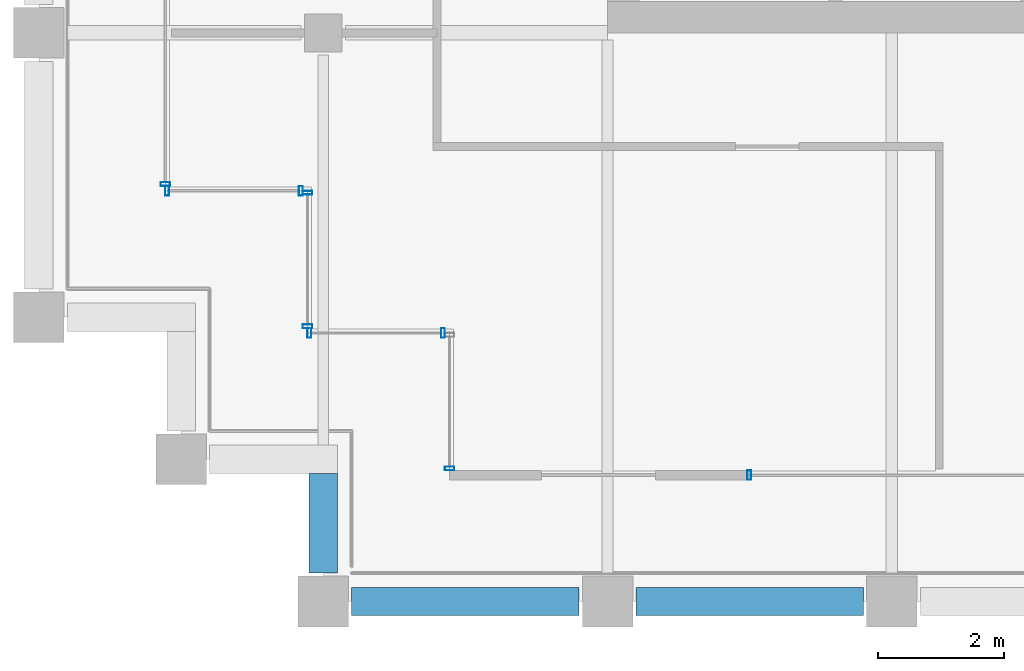
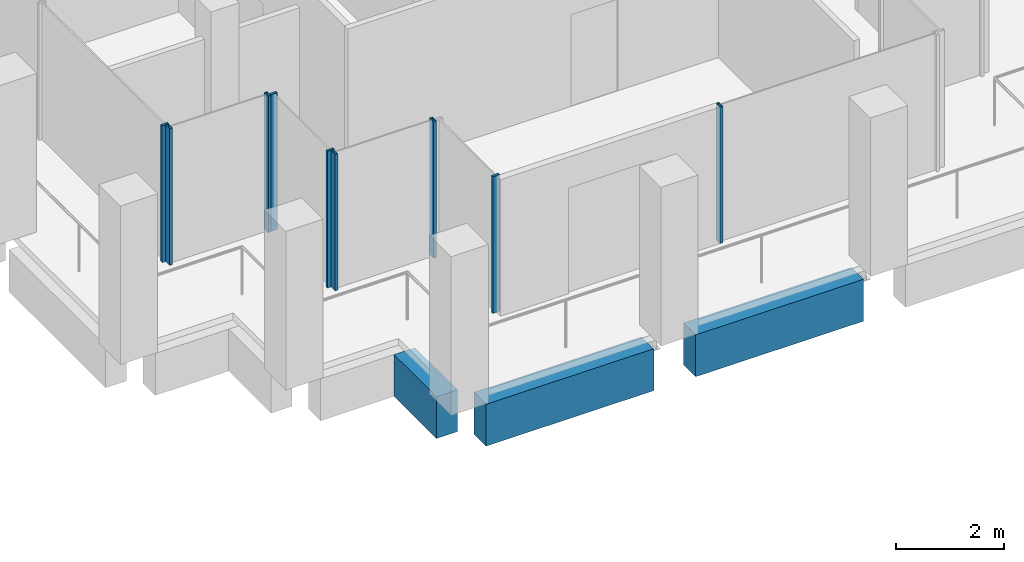
# One storey, part 28 of 40: 9 members, 3 beams, 6 elements without a shape of their own.
"""IFC4 building model written with IfcOpenShell, lengths in metres."""

from ifc_helpers import new_model, si_unit, direction, frame, origin, origin_2d, place, context, subcontext, project, spatial, rectangle, hollow_rectangle, extrude, material, material_profile, profile_set, type_object, element, aggregate, save


model = new_model("IFC4")

# Units and contexts
model_context = context("Model", 3, precision=1e-05, world=origin(), true_north=direction((0.0, 1.0)))
body_context = subcontext(model_context, "Body", "Model", "MODEL_VIEW")
ifc_project = project(units=[si_unit("LENGTHUNIT", "METRE"), si_unit("AREAUNIT", "SQUARE_METRE"), si_unit("VOLUMEUNIT", "CUBIC_METRE"), si_unit("PLANEANGLEUNIT", "RADIAN"), si_unit("MASSUNIT", "GRAM", prefix="KILO")], contexts=[model_context])

# Site, building, storey
site_placement = place(None, origin())
site = spatial("IfcSite", under=ifc_project, at=site_placement, CompositionType="ELEMENT")
building_placement = place(site_placement, origin())
building = spatial("IfcBuilding", under=site, at=building_placement, Name="Altepetl Exchange Towers", CompositionType="ELEMENT")
storey_placement = place(building_placement, frame((0.0, 0.0, 195.60009765625)))
storey = spatial("IfcBuildingStorey", under=building, at=storey_placement, Name="L49", CompositionType="ELEMENT", Elevation=195.60009765625)

# Curtain wall, member
ifc_material_1 = material(Name="Aluminium 6063-T6 glazing", Category="aluminium")
curtain_wall_type = type_object("IfcCurtainWallType", Name="Loggia glazing system", PredefinedType="NOTDEFINED", material=ifc_material_1)
curtain_wall_1_placement = place(storey_placement, origin())
curtain_wall_1 = element("IfcCurtainWall", 1, at=curtain_wall_1_placement, inside=storey, type_object=curtain_wall_type, Name="CW1 run", PredefinedType="NOTDEFINED")
ifc_material_2 = material(Name="Aluminium 6063-T6", Category="aluminium")
ifc_material_profile_1 = material_profile(ifc_material_2, hollow_rectangle(XDim=0.06005859375, YDim=0.14990234375, WallThickness=0.0029296875, at=origin_2d()), Name="Mullion 60x150 aluminium")
ifc_profile_set_1 = profile_set([ifc_material_profile_1], Name="Aluminium 6063-T6")
member_type = type_object("IfcMemberType", Name="Mullion 60x150 aluminium", PredefinedType="MULLION", material=ifc_profile_set_1)
member_1_placement = place(storey_placement, frame((101.0, 29.10498046875, 0.0), z_axis=(0.0, 0.0, 1.0), x_axis=(0.0, -1.0, 0.0)))
member_1 = element("IfcMember", 2, at=member_1_placement, type_object=member_type, Name="MU1 mullion", PredefinedType="MULLION", context=body_context, shape_type="SweptSolid", body=[
    extrude(hollow_rectangle(XDim=0.06005859375, YDim=0.14990234375, WallThickness=0.0029296875, at=origin_2d()), origin(), (0.0, 0.0, 1.0), 3.099853515625),
])
aggregate(curtain_wall_1, [member_1])

curtain_wall_2_placement = place(storey_placement, origin())
curtain_wall_2 = element("IfcCurtainWall", 3, at=curtain_wall_2_placement, inside=storey, type_object=curtain_wall_type, Name="CW1 run", PredefinedType="NOTDEFINED")
member_2_placement = place(storey_placement, frame((105.742431640625, 29.0, 0.0)))
member_2 = element("IfcMember", 4, at=member_2_placement, type_object=member_type, Name="MU1 mullion", PredefinedType="MULLION", context=body_context, shape_type="SweptSolid", body=[
    extrude(hollow_rectangle(XDim=0.06005859375, YDim=0.14990234375, WallThickness=0.0029296875, at=origin_2d()), origin(), (0.0, 0.0, 1.0), 3.099853515625),
])
aggregate(curtain_wall_2, [member_2])

curtain_wall_3_placement = place(storey_placement, origin())
curtain_wall_3 = element("IfcCurtainWall", 5, at=curtain_wall_3_placement, inside=storey, type_object=curtain_wall_type, Name="CW1 run", PredefinedType="NOTDEFINED")
member_3_placement = place(storey_placement, frame((96.5, 33.60498046875, 0.0), z_axis=(0.0, 0.0, 1.0), x_axis=(0.0, -1.0, 0.0)))
member_3 = element("IfcMember", 6, at=member_3_placement, type_object=member_type, Name="MU1 mullion", PredefinedType="MULLION", context=body_context, shape_type="SweptSolid", body=[
    extrude(hollow_rectangle(XDim=0.06005859375, YDim=0.14990234375, WallThickness=0.0029296875, at=origin_2d()), origin(), (0.0, 0.0, 1.0), 3.099853515625),
])
aggregate(curtain_wall_3, [member_3])

# Curtain wall, members
curtain_wall_4_placement = place(storey_placement, origin())
curtain_wall_4 = element("IfcCurtainWall", 7, at=curtain_wall_4_placement, inside=storey, type_object=curtain_wall_type, Name="CW1 run", PredefinedType="NOTDEFINED")
member_4_placement = place(storey_placement, frame((96.530029296875, 33.5, 0.0)))
member_4 = element("IfcMember", 8, at=member_4_placement, type_object=member_type, Name="MU1 mullion", PredefinedType="MULLION", context=body_context, shape_type="SweptSolid", body=[
    extrude(hollow_rectangle(XDim=0.06005859375, YDim=0.14990234375, WallThickness=0.0029296875, at=origin_2d()), origin(), (0.0, 0.0, 1.0), 3.099853515625),
])
member_5_placement = place(storey_placement, frame((98.64501953125, 33.5, 0.0)))
member_5 = element("IfcMember", 9, at=member_5_placement, type_object=member_type, Name="MU1 mullion", PredefinedType="MULLION", context=body_context, shape_type="SweptSolid", body=[
    extrude(hollow_rectangle(XDim=0.06005859375, YDim=0.14990234375, WallThickness=0.0029296875, at=origin_2d()), origin(), (0.0, 0.0, 1.0), 3.099853515625),
])
aggregate(curtain_wall_4, [member_4, member_5])

curtain_wall_5_placement = place(storey_placement, origin())
curtain_wall_5 = element("IfcCurtainWall", 10, at=curtain_wall_5_placement, inside=storey, type_object=curtain_wall_type, Name="CW1 run", PredefinedType="NOTDEFINED")
member_6_placement = place(storey_placement, frame((98.75, 33.469970703125, 0.0), z_axis=(0.0, 0.0, 1.0), x_axis=(0.0, -1.0, 0.0)))
member_6 = element("IfcMember", 11, at=member_6_placement, type_object=member_type, Name="MU1 mullion", PredefinedType="MULLION", context=body_context, shape_type="SweptSolid", body=[
    extrude(hollow_rectangle(XDim=0.06005859375, YDim=0.14990234375, WallThickness=0.0029296875, at=origin_2d()), origin(), (0.0, 0.0, 1.0), 3.099853515625),
])
member_7_placement = place(storey_placement, frame((98.75, 31.35498046875, 0.0), z_axis=(0.0, 0.0, 1.0), x_axis=(0.0, -1.0, 0.0)))
member_7 = element("IfcMember", 12, at=member_7_placement, type_object=member_type, Name="MU1 mullion", PredefinedType="MULLION", context=body_context, shape_type="SweptSolid", body=[
    extrude(hollow_rectangle(XDim=0.06005859375, YDim=0.14990234375, WallThickness=0.0029296875, at=origin_2d()), origin(), (0.0, 0.0, 1.0), 3.099853515625),
])
aggregate(curtain_wall_5, [member_6, member_7])

curtain_wall_6_placement = place(storey_placement, origin())
curtain_wall_6 = element("IfcCurtainWall", 13, at=curtain_wall_6_placement, inside=storey, type_object=curtain_wall_type, Name="CW1 run", PredefinedType="NOTDEFINED")
member_8_placement = place(storey_placement, frame((98.780029296875, 31.25, 0.0)))
member_8 = element("IfcMember", 14, at=member_8_placement, type_object=member_type, Name="MU1 mullion", PredefinedType="MULLION", context=body_context, shape_type="SweptSolid", body=[
    extrude(hollow_rectangle(XDim=0.06005859375, YDim=0.14990234375, WallThickness=0.0029296875, at=origin_2d()), origin(), (0.0, 0.0, 1.0), 3.099853515625),
])
member_9_placement = place(storey_placement, frame((100.89501953125, 31.25, 0.0)))
member_9 = element("IfcMember", 15, at=member_9_placement, type_object=member_type, Name="MU1 mullion", PredefinedType="MULLION", context=body_context, shape_type="SweptSolid", body=[
    extrude(hollow_rectangle(XDim=0.06005859375, YDim=0.14990234375, WallThickness=0.0029296875, at=origin_2d()), origin(), (0.0, 0.0, 1.0), 3.099853515625),
])
aggregate(curtain_wall_6, [member_8, member_9])

# Beams
ifc_material_3 = material(Name="Concrete C50/60 precast with tezontle facing", Category="concrete")
ifc_material_profile_2 = material_profile(ifc_material_3, rectangle(XDim=0.449951171875, YDim=0.949951171875, at=origin_2d()), Name="450 x 950")
ifc_profile_set_2 = profile_set([ifc_material_profile_2], Name="Concrete C50/60 precast with tezontle facing")
beam_type = type_object("IfcBeamType", Name="Spandrel beam 450x950 tezontle", PredefinedType="SPANDREL", material=ifc_profile_set_2)
for number, where, z_axis, x_axis, name in (
    (16, (99.449951171875, 27.0, -0.625), (1.0, 0.0, 0.0), (0.0, 1.0, 0.0), "sp:B:L49:000"),
    (17, (103.949951171875, 27.0, -0.625), (1.0, 0.0, 0.0), (0.0, 1.0, 0.0), "sp:B:L49:001"),
):
    element("IfcBeam", number, at=place(storey_placement, frame(where, z_axis=z_axis, x_axis=x_axis)), inside=storey, type_object=beam_type, Name=name, PredefinedType="SPANDREL", context=body_context, shape_type="SweptSolid", body=[
        extrude(rectangle(XDim=0.449951171875, YDim=0.949951171875, at=origin_2d()), origin(), (0.0, 0.0, 1.0), 3.60009765625),
    ])
beam_placement = place(storey_placement, frame((99.0, 29.02490234375, -0.625), z_axis=(0.0, -1.0, 0.0), x_axis=(1.0, 0.0, 0.0)))
element("IfcBeam", 18, at=beam_placement, inside=storey, type_object=beam_type, Name="sp:B:L49:023", PredefinedType="SPANDREL", context=body_context, shape_type="SweptSolid", body=[
    extrude(rectangle(XDim=0.449951171875, YDim=0.949951171875, at=origin_2d()), origin(), (0.0, 0.0, 1.0), 1.574951171875),
])

save(model, "model.ifc")
